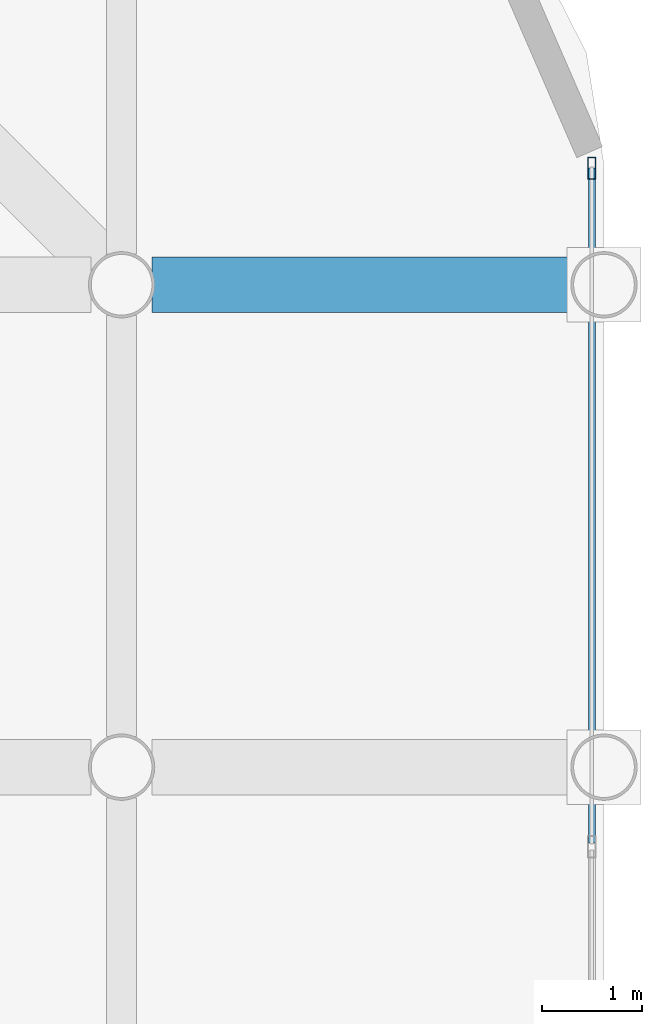
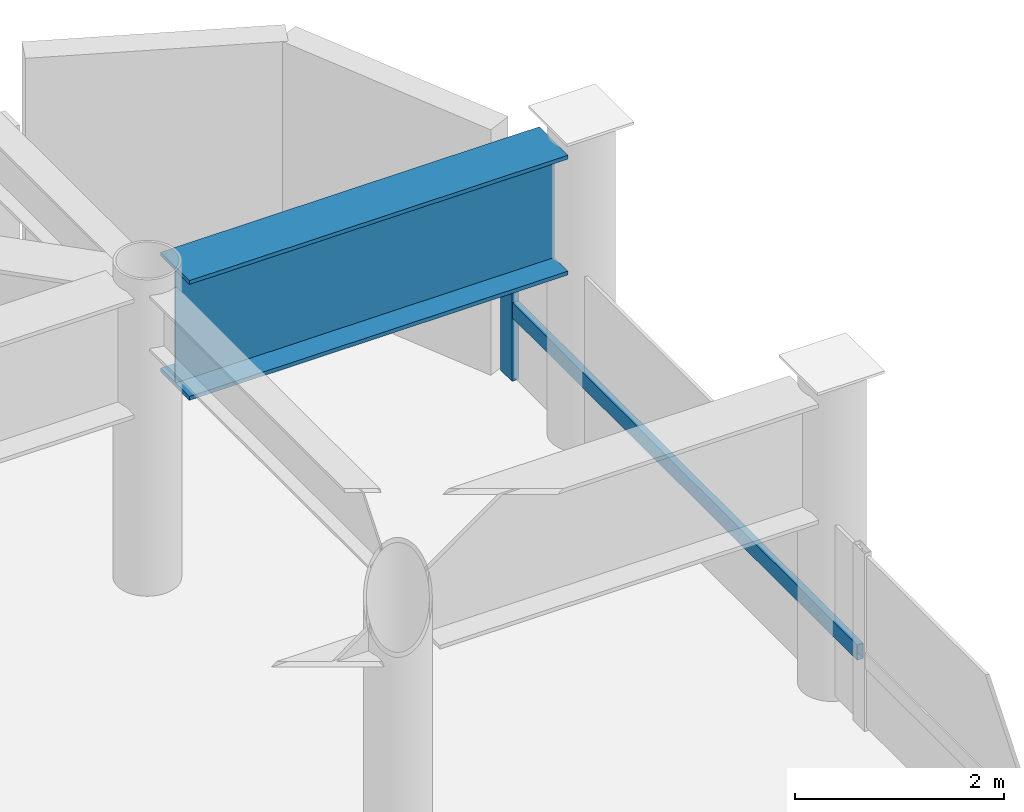
# One storey, part 15 of 23: 2 members, 1 beam, 1 element without a shape of its own.
"""IFC4 building model written with IfcOpenShell, lengths in metres."""

from ifc_helpers import new_model, si_unit, direction, frame, origin, origin_2d, place, context, subcontext, project, spatial, hollow_rectangle, i_section, extrude, material, layer, layer_set, material_profile, profile_set, type_object, element, aggregate, save


model = new_model("IFC4")

# Units and contexts
model_context = context("Model", 3, precision=1e-05, world=origin(), true_north=direction((0.0, 1.0)))
body_context = subcontext(model_context, "Body", "Model", "MODEL_VIEW")
ifc_project = project(units=[si_unit("LENGTHUNIT", "METRE"), si_unit("AREAUNIT", "SQUARE_METRE"), si_unit("VOLUMEUNIT", "CUBIC_METRE"), si_unit("PLANEANGLEUNIT", "RADIAN"), si_unit("MASSUNIT", "GRAM", prefix="KILO")], contexts=[model_context])

# Site, building, storey
site_placement = place(None, origin())
site = spatial("IfcSite", under=ifc_project, at=site_placement, CompositionType="ELEMENT")
building_placement = place(site_placement, origin())
building = spatial("IfcBuilding", under=site, at=building_placement, Name="Kallvorn Hotel Tower", CompositionType="ELEMENT")
storey_placement = place(building_placement, frame((0.0, 0.0, 121.10009765625)))
storey = spatial("IfcBuildingStorey", under=building, at=storey_placement, Name="L29", CompositionType="ELEMENT", Elevation=121.10009765625)

# Beam
ifc_material_1 = material(Name="Structural steel S355JR", Category="steel")
ifc_material_profile_1 = material_profile(ifc_material_1, i_section(OverallWidth=0.550048828125, OverallDepth=1.39990234375, WebThickness=0.02490234375, FlangeThickness=0.044921875, at=origin_2d()), Name="PG 1400x550x25x45")
ifc_profile_set_1 = profile_set([ifc_material_profile_1], Name="Structural steel S355JR")
beam_type = type_object("IfcBeamType", Name="BM_PG_1400", PredefinedType="BEAM", material=ifc_profile_set_1)
beam_placement = place(storey_placement, frame((29.10498046875, 19.199951171875, 2.81982421875), z_axis=(1.0, 0.0, 0.0), x_axis=(0.0, 1.0, 0.0)))
element("IfcBeam", 1, at=beam_placement, inside=storey, type_object=beam_type, Name="L30 Primary X-Girder 81", PredefinedType="BEAM", context=body_context, shape_type="SweptSolid", body=[
    extrude(i_section(OverallWidth=0.550048828125, OverallDepth=1.39990234375, WebThickness=0.02490234375, FlangeThickness=0.044921875, at=origin_2d()), origin(), (0.0, 0.0, 1.0), 4.18994140625),
])

# Curtain wall, members
ifc_material_2 = material(Name="Thermally broken black-anodised aluminium AA 6063-T6", Category="aluminium")
ifc_layer = layer(ifc_material_2, 0.199951171875)
ifc_layer_set = layer_set([ifc_layer], Name="CW_SYS_3_HOTEL_LOW")
curtain_wall_type = type_object("IfcCurtainWallType", Name="CW_SYS_3_HOTEL_LOW", PredefinedType="USERDEFINED", material=ifc_layer_set)
curtain_wall_placement = place(storey_placement, origin())
curtain_wall = element("IfcCurtainWall", 2, at=curtain_wall_placement, inside=storey, type_object=curtain_wall_type, Name="L29 Dark-Glass Curtain Wall CW-L29-EN", ObjectType="UNITISED CURTAIN WALL", PredefinedType="USERDEFINED")
ifc_material_3 = material(Name="Thermally broken black-anodised aluminium AA 6063-T6", Category="aluminium")
ifc_material_profile_2 = material_profile(ifc_material_3, hollow_rectangle(XDim=0.080078125, YDim=0.219970703125, WallThickness=0.0048828125, at=origin_2d()), Name="MUL 220x80")
ifc_profile_set_2 = profile_set([ifc_material_profile_2], Name="Thermally broken black-anodised aluminium AA 6063-T6")
member_type_1 = type_object("IfcMemberType", Name="CW_MULLION_220x80", PredefinedType="MULLION", material=ifc_profile_set_2)
member_1_placement = place(storey_placement, frame((33.47998046875, 20.360107421875, 0.02001953125), z_axis=(0.0, 0.0, 1.0), x_axis=(1.0, 0.0, 0.0)))
member_1 = element("IfcMember", 3, at=member_1_placement, type_object=member_type_1, Name="CW-L29-EN Mullion 03", PredefinedType="MULLION", context=body_context, shape_type="SweptSolid", body=[
    extrude(hollow_rectangle(XDim=0.080078125, YDim=0.219970703125, WallThickness=0.0048828125, at=origin_2d()), origin(), (0.0, 0.0, 1.0), 2.079833984375),
])
ifc_material_4 = material(Name="Thermally broken black-anodised aluminium AA 6063-T6", Category="aluminium")
ifc_material_profile_3 = material_profile(ifc_material_4, hollow_rectangle(XDim=0.070068359375, YDim=0.179931640625, WallThickness=0.00390625, at=origin_2d()), Name="TRN 180x70")
ifc_profile_set_3 = profile_set([ifc_material_profile_3], Name="Thermally broken black-anodised aluminium AA 6063-T6")
member_type_2 = type_object("IfcMemberType", Name="CW_TRANSOM_180x70", PredefinedType="USERDEFINED", material=ifc_profile_set_3)
member_2_placement = place(storey_placement, frame((33.47998046875, 13.646728515625, 0.849853515625), z_axis=(0.0, 1.0, 0.0), x_axis=(-1.0, 0.0, 0.0)))
member_2 = element("IfcMember", 4, at=member_2_placement, type_object=member_type_2, Name="CW-L29-EN Transom 02M", ObjectType="TRANSOM", PredefinedType="USERDEFINED", context=body_context, shape_type="SweptSolid", body=[
    extrude(hollow_rectangle(XDim=0.070068359375, YDim=0.179931640625, WallThickness=0.00390625, at=origin_2d()), origin(), (0.0, 0.0, 1.0), 6.71337890625),
])
aggregate(curtain_wall, [member_1, member_2])

save(model, "model.ifc")
